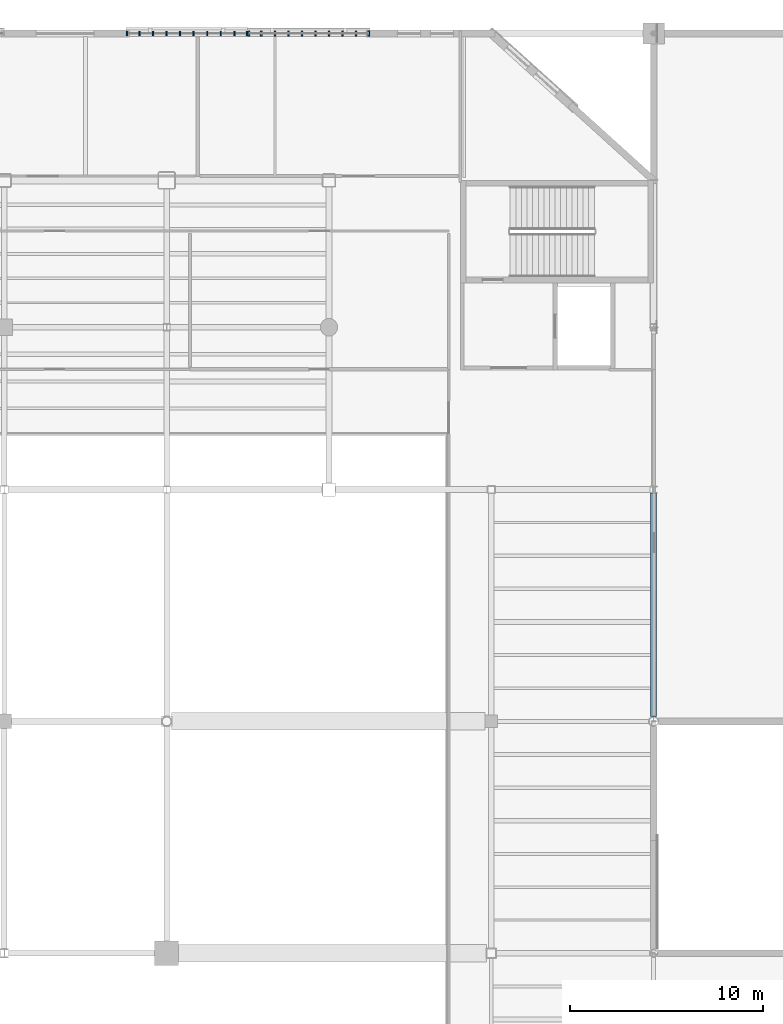
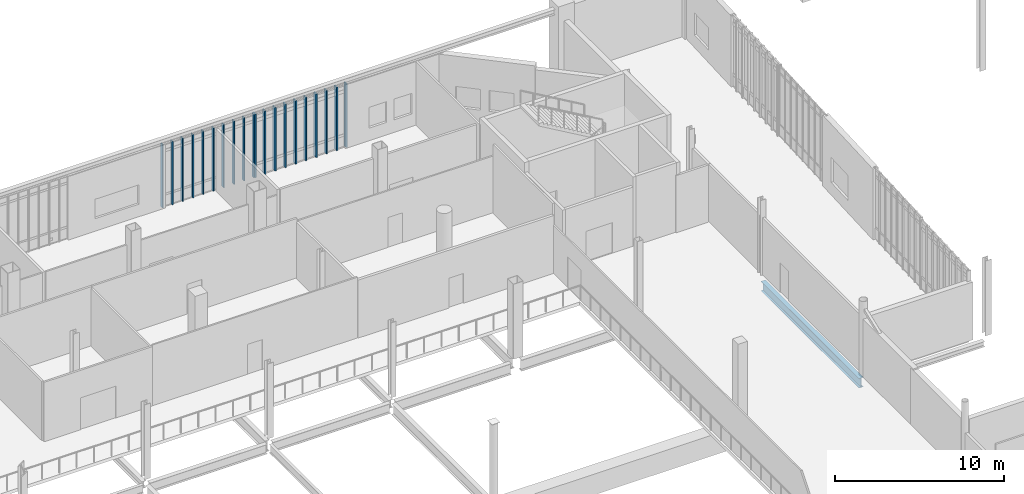
# One storey, part 38 of 127: 20 members, 1 beam, 2 elements without a shape of their own.
"""IFC4 building model written with IfcOpenShell, lengths in metres."""

import ifcopenshell
import ifcopenshell.guid

model = None  # the IFC model being written
_history = None  # IfcOwnerHistory: only IFC2X3 demands one
_inside = {}  # id of a spatial element -> (the spatial element, [elements in it])
_under = {}  # id of a project, library or spatial element -> (it, [spatial elements below it])
_declared = {}  # id of a project -> (the project, [libraries it declares])
_typed = {}  # id of a type object -> (the type object, [elements of that type])
_made_of = {}  # id of a material, layer set ... -> (it, [elements and type objects made of it])


def new_model(schema):
    """Start an empty IFC model of exactly this schema.

    Asked for "IFC4X3", IfcOpenShell would pick the latest addendum, in which some entities
    have other attributes; the version numbers below select the first issue.
    IFC2X3 requires an IfcOwnerHistory on every rooted entity: one is made here for all.
    """
    global model, _history
    if schema == "IFC4X3":
        model = ifcopenshell.file(schema_version=(4, 3, 0, 0))
    else:
        model = ifcopenshell.file(schema=schema)
    _inside.clear()
    _under.clear()
    _declared.clear()
    _typed.clear()
    _made_of.clear()
    _history = None
    if model.schema == "IFC2X3":
        org = make("IfcOrganization", Name="unknown")
        user = make(
            "IfcPersonAndOrganization",
            ThePerson=make("IfcPerson", FamilyName="unknown"),
            TheOrganization=org,
        )
        app = make(
            "IfcApplication",
            ApplicationDeveloper=org,
            Version="unknown",
            ApplicationFullName="unknown",
            ApplicationIdentifier="unknown",
        )
        _history = make(
            "IfcOwnerHistory",
            OwningUser=user,
            OwningApplication=app,
            ChangeAction="ADDED",
            CreationDate=0,
        )
    return model


def make(cls, **values):
    """One entity of the class cls with the attributes given. An attribute that is None is left unset."""
    return model.create_entity(
        cls, **{name: value for name, value in values.items() if value is not None}
    )


def rooted(cls, **values):
    """An entity with a GlobalId (a new one), such as an element, a storey or a relation."""
    return make(cls, GlobalId=ifcopenshell.guid.new(), OwnerHistory=_history, **values)


def si_unit(unit_type, name, prefix=None):
    """IfcSIUnit, for example si_unit("LENGTHUNIT", "METRE", prefix="MILLI")."""
    return make("IfcSIUnit", UnitType=unit_type, Prefix=prefix, Name=name)


def assignment(units):
    """IfcUnitAssignment: the units of a project."""
    return None if units is None else make("IfcUnitAssignment", Units=units)


def point(xyz):
    """IfcCartesianPoint."""
    return None if xyz is None else make("IfcCartesianPoint", Coordinates=xyz)


def direction(xyz):
    """IfcDirection."""
    return None if xyz is None else make("IfcDirection", DirectionRatios=xyz)


def frame(location, z_axis=None, x_axis=None):
    """IfcAxis2Placement3D, a coordinate frame: its origin and axes. An axis left out is left unset."""
    return make(
        "IfcAxis2Placement3D",
        Location=point(location),
        Axis=direction(z_axis),
        RefDirection=direction(x_axis),
    )


def frame_2d(location, x_axis=None):
    """IfcAxis2Placement2D, a coordinate frame in the plane: its origin and x axis."""
    return make(
        "IfcAxis2Placement2D", Location=point(location), RefDirection=direction(x_axis)
    )


def origin():
    """The frame at (0, 0, 0) with its axes left unset."""
    return frame((0.0, 0.0, 0.0))


def origin_2d():
    """The frame at (0, 0) in the plane with its x axis left unset."""
    return frame_2d((0.0, 0.0))


def place(relative_to, where):
    """IfcLocalPlacement: puts the frame where relative to a parent placement (None: the world)."""
    return make(
        "IfcLocalPlacement", PlacementRelTo=relative_to, RelativePlacement=where
    )


def context(
    kind, dimensions, precision=None, world=None, true_north=None, identifier=None
):
    """IfcGeometricRepresentationContext, for example the 3D "Model" context."""
    return make(
        "IfcGeometricRepresentationContext",
        ContextIdentifier=identifier,
        ContextType=kind,
        CoordinateSpaceDimension=dimensions,
        Precision=precision,
        WorldCoordinateSystem=world,
        TrueNorth=true_north,
    )


def subcontext(parent, identifier, kind, view, scale=None):
    """IfcGeometricRepresentationSubContext, for example "Body" below "Model"."""
    return make(
        "IfcGeometricRepresentationSubContext",
        ContextIdentifier=identifier,
        ContextType=kind,
        ParentContext=parent,
        TargetScale=scale,
        TargetView=view,
    )


def project(units=None, contexts=None):
    """IfcProject with its units and contexts."""
    return rooted(
        "IfcProject",
        Name="project",
        RepresentationContexts=contexts,
        UnitsInContext=assignment(units),
    )


def spatial(cls, under=None, at=None, **own):
    """A site, building, storey or space (cls), placed at a placement, below another one or the project."""
    s = rooted(cls, ObjectPlacement=at, **own)
    if under is not None:
        _under.setdefault(under.id(), (under, []))[1].append(s)
    return s


def profile(cls, at=None, kind="AREA", **sizes):
    """A parametric profile (cls). Its sizes go by their IFC names, for example OverallWidth=200.0."""
    return make(cls, ProfileType=kind, Position=at, **sizes)


def rectangle(**sizes):
    """IfcRectangleProfileDef."""
    return profile("IfcRectangleProfileDef", **sizes)


def i_section(**sizes):
    """IfcIShapeProfileDef."""
    return profile("IfcIShapeProfileDef", **sizes)


def extrude(swept, where, along, depth):
    """IfcExtrudedAreaSolid: the profile swept, set in the frame where, extruded along a direction by depth."""
    return make(
        "IfcExtrudedAreaSolid",
        SweptArea=swept,
        Position=where,
        ExtrudedDirection=direction(along),
        Depth=depth,
    )


def shape(context_of_items, identifier, shape_type, items):
    """IfcShapeRepresentation: the items that make up one representation, for example the "Body"."""
    return make(
        "IfcShapeRepresentation",
        ContextOfItems=context_of_items,
        RepresentationIdentifier=identifier,
        RepresentationType=shape_type,
        Items=items,
    )


def material(Name=None, Category=None):
    """IfcMaterial."""
    return make("IfcMaterial", Name=Name, Category=Category)


def material_profile(
    of_material, cross_section, Name=None, Category=None, Priority=None
):
    """IfcMaterialProfile: a cross section and its material."""
    return make(
        "IfcMaterialProfile",
        Name=Name,
        Material=of_material,
        Profile=cross_section,
        Priority=Priority,
        Category=Category,
    )


def profile_set(profiles, Name=None, composite=None):
    """IfcMaterialProfileSet."""
    return make(
        "IfcMaterialProfileSet",
        Name=Name,
        MaterialProfiles=profiles,
        CompositeProfile=composite,
    )


def made_of(thing, what):
    """Note that an element or type object is made of a material, layer set ...; save() writes the relation."""
    if what is not None:
        _made_of.setdefault(what.id(), (what, []))[1].append(thing)
    return thing


def type_object(cls, material=None, **own):
    """A type object (cls), such as IfcWallType, which elements share."""
    return made_of(rooted(cls, **own), material)


def element(
    cls,
    number,
    at=None,
    inside=None,
    cuts=None,
    type_object=None,
    material=None,
    context=None,
    identifier="Body",
    shape_type=None,
    held_by="IfcProductDefinitionShape",
    body=None,
    shapes=None,
    **own,
):
    """One element of the class cls, such as IfcWall. Its Tag is "e" and its number.

    at: its placement. inside: the storey or other place that contains it. cuts: it is an
    opening in that element (IfcRelVoidsElement). A single representation is given by context,
    identifier, shape_type and body (its items); several are given by shapes. held_by: the class
    of the entity that holds the representations. save() writes the other relations.
    """
    e = rooted(cls, Tag="e%d" % number, ObjectPlacement=at, **own)
    if body is not None:
        shapes = [shape(context, identifier, shape_type, body)]
    if shapes is not None:
        e.Representation = make(held_by, Representations=shapes)
    if inside is not None:
        _inside.setdefault(inside.id(), (inside, []))[1].append(e)
    if cuts is not None:
        rooted(
            "IfcRelVoidsElement", RelatingBuildingElement=cuts, RelatedOpeningElement=e
        )
    if type_object is not None:
        _typed.setdefault(type_object.id(), (type_object, []))[1].append(e)
    return made_of(e, material)


def aggregate(whole, parts):
    """IfcRelAggregates: a whole, such as a stair, and the parts it consists of."""
    return rooted("IfcRelAggregates", RelatingObject=whole, RelatedObjects=parts)


def save(model, path):
    """Write the relations noted so far, then the file.

    IfcRelAggregates (storeys below a building ...), IfcRelContainedInSpatialStructure (elements
    in a storey), IfcRelDefinesByType, IfcRelAssociatesMaterial and IfcRelDeclares: one each for
    every whole, place, type object, material and project.
    """
    for whole, parts in _under.values():
        aggregate(whole, parts)
    for where, things in _inside.values():
        rooted(
            "IfcRelContainedInSpatialStructure",
            RelatedElements=things,
            RelatingStructure=where,
        )
    for kind, things in _typed.values():
        rooted("IfcRelDefinesByType", RelatedObjects=things, RelatingType=kind)
    for what, things in _made_of.values():
        rooted("IfcRelAssociatesMaterial", RelatedObjects=things, RelatingMaterial=what)
    for by, libraries in _declared.values():
        rooted("IfcRelDeclares", RelatingContext=by, RelatedDefinitions=libraries)
    model.write(path)


model = new_model("IFC4")

# Units and contexts
model_context = context("Model", 3, precision=1e-05, world=origin(), true_north=direction((0.0, 1.0)))
body_context = subcontext(model_context, "Body", "Model", "MODEL_VIEW")
ifc_project = project(units=[si_unit("LENGTHUNIT", "METRE"), si_unit("AREAUNIT", "SQUARE_METRE"), si_unit("VOLUMEUNIT", "CUBIC_METRE"), si_unit("PLANEANGLEUNIT", "RADIAN"), si_unit("MASSUNIT", "GRAM", prefix="KILO")], contexts=[model_context])

# Site, building, storey
site_placement = place(None, origin())
site = spatial("IfcSite", under=ifc_project, at=site_placement, CompositionType="ELEMENT")
building_placement = place(site_placement, origin())
building = spatial("IfcBuilding", under=site, at=building_placement, Name="Larkvane Passage Sports Hall", CompositionType="ELEMENT")
storey_placement = place(building_placement, frame((0.0, 0.0, 5.39990234375)))
storey = spatial("IfcBuildingStorey", under=building, at=storey_placement, Name="L01", CompositionType="ELEMENT", Elevation=5.39990234375)

# Beam
ifc_material_1 = material(Name="Steel S460N", Category="steel")
ifc_material_profile_1 = material_profile(ifc_material_1, i_section(OverallWidth=0.300048828125, OverallDepth=0.699951171875, WebThickness=0.012939453125, FlangeThickness=0.02392578125, FilletRadius=0.02197265625, at=origin_2d()), Name="H-700x300x13x24")
ifc_profile_set_1 = profile_set([ifc_material_profile_1], Name="Steel S460N")
beam_type = type_object("IfcBeamType", Name="BM-STL-H700", PredefinedType="BEAM", material=ifc_profile_set_1)
beam_placement = place(storey_placement, frame((93.60009765625, 63.85400390625, -0.77001953125), z_axis=(0.0, 1.0, 0.0), x_axis=(-1.0, 0.0, 0.0)))
element("IfcBeam", 1, at=beam_placement, inside=storey, type_object=beam_type, Name="Girder BM5-Y-L01-13-0487", PredefinedType="BEAM", context=body_context, shape_type="SweptSolid", body=[
    extrude(i_section(OverallWidth=0.300048828125, OverallDepth=0.699951171875, WebThickness=0.012939453125, FlangeThickness=0.02392578125, FilletRadius=0.02197265625, at=origin_2d()), origin(), (0.0, 0.0, 1.0), 11.571044921875),
])

# Curtain wall, members
ifc_material_2 = material(Name="Thermally broken aluminium and low-E glazing", Category="aluminium")
curtain_wall_type_1 = type_object("IfcCurtainWallType", Name="CW-UNIT-VEIL", PredefinedType="USERDEFINED", material=ifc_material_2)
curtain_wall_1_placement = place(storey_placement, origin())
curtain_wall_1 = element("IfcCurtainWall", 2, at=curtain_wall_1_placement, inside=storey, type_object=curtain_wall_type_1, Name="Curtain wall CW5-L01-041", ObjectType="UNITISED CURTAIN WALL", PredefinedType="USERDEFINED")
ifc_material_3 = material(Name="Anodised aluminium 6063-T6", Category="aluminium")
ifc_material_profile_2 = material_profile(ifc_material_3, rectangle(XDim=0.074951171875, YDim=0.22509765625, at=origin_2d()), Name="ALU-MUL-75x225")
ifc_profile_set_2 = profile_set([ifc_material_profile_2], Name="Anodised aluminium 6063-T6")
member_type_1 = type_object("IfcMemberType", Name="CW-MUL-75x225", PredefinedType="MULLION", material=ifc_profile_set_2)
member_1_placement = place(storey_placement, frame((66.33740234375, 99.199951171875, 0.0), z_axis=(0.0, 0.0, 1.0), x_axis=(1.0, 0.0, 0.0)))
member_1 = element("IfcMember", 3, at=member_1_placement, type_object=member_type_1, Name="CW-02 mullion 1", PredefinedType="MULLION", context=body_context, shape_type="SweptSolid", body=[
    extrude(rectangle(XDim=0.074951171875, YDim=0.22509765625, at=origin_2d()), origin(), (0.0, 0.0, 1.0), 4.578125),
])
member_2_placement = place(storey_placement, frame((67.0, 99.199951171875, 0.0), z_axis=(0.0, 0.0, 1.0), x_axis=(1.0, 0.0, 0.0)))
member_2 = element("IfcMember", 4, at=member_2_placement, type_object=member_type_1, Name="CW-02 mullion 2", PredefinedType="MULLION", context=body_context, shape_type="SweptSolid", body=[
    extrude(rectangle(XDim=0.074951171875, YDim=0.22509765625, at=origin_2d()), origin(), (0.0, 0.0, 1.0), 4.578125),
])
member_3_placement = place(storey_placement, frame((67.699951171875, 99.199951171875, 0.0), z_axis=(0.0, 0.0, 1.0), x_axis=(1.0, 0.0, 0.0)))
member_3 = element("IfcMember", 5, at=member_3_placement, type_object=member_type_1, Name="CW-02 mullion 3", PredefinedType="MULLION", context=body_context, shape_type="SweptSolid", body=[
    extrude(rectangle(XDim=0.074951171875, YDim=0.22509765625, at=origin_2d()), origin(), (0.0, 0.0, 1.0), 4.578125),
])
member_4_placement = place(storey_placement, frame((68.39990234375, 99.199951171875, 0.0), z_axis=(0.0, 0.0, 1.0), x_axis=(1.0, 0.0, 0.0)))
member_4 = element("IfcMember", 6, at=member_4_placement, type_object=member_type_1, Name="CW-02 mullion 4", PredefinedType="MULLION", context=body_context, shape_type="SweptSolid", body=[
    extrude(rectangle(XDim=0.074951171875, YDim=0.22509765625, at=origin_2d()), origin(), (0.0, 0.0, 1.0), 4.578125),
])
member_5_placement = place(storey_placement, frame((69.10009765625, 99.199951171875, 0.0), z_axis=(0.0, 0.0, 1.0), x_axis=(1.0, 0.0, 0.0)))
member_5 = element("IfcMember", 7, at=member_5_placement, type_object=member_type_1, Name="CW-02 mullion 5", PredefinedType="MULLION", context=body_context, shape_type="SweptSolid", body=[
    extrude(rectangle(XDim=0.074951171875, YDim=0.22509765625, at=origin_2d()), origin(), (0.0, 0.0, 1.0), 4.578125),
])
member_6_placement = place(storey_placement, frame((69.800048828125, 99.199951171875, 0.0), z_axis=(0.0, 0.0, 1.0), x_axis=(1.0, 0.0, 0.0)))
member_6 = element("IfcMember", 8, at=member_6_placement, type_object=member_type_1, Name="CW-02 mullion 6", PredefinedType="MULLION", context=body_context, shape_type="SweptSolid", body=[
    extrude(rectangle(XDim=0.074951171875, YDim=0.22509765625, at=origin_2d()), origin(), (0.0, 0.0, 1.0), 4.578125),
])
member_7_placement = place(storey_placement, frame((70.5, 99.199951171875, 0.0), z_axis=(0.0, 0.0, 1.0), x_axis=(1.0, 0.0, 0.0)))
member_7 = element("IfcMember", 9, at=member_7_placement, type_object=member_type_1, Name="CW-02 mullion 7", PredefinedType="MULLION", context=body_context, shape_type="SweptSolid", body=[
    extrude(rectangle(XDim=0.074951171875, YDim=0.22509765625, at=origin_2d()), origin(), (0.0, 0.0, 1.0), 4.578125),
])
member_8_placement = place(storey_placement, frame((71.199951171875, 99.199951171875, 0.0), z_axis=(0.0, 0.0, 1.0), x_axis=(1.0, 0.0, 0.0)))
member_8 = element("IfcMember", 10, at=member_8_placement, type_object=member_type_1, Name="CW-02 mullion 8", PredefinedType="MULLION", context=body_context, shape_type="SweptSolid", body=[
    extrude(rectangle(XDim=0.074951171875, YDim=0.22509765625, at=origin_2d()), origin(), (0.0, 0.0, 1.0), 4.578125),
])
member_9_placement = place(storey_placement, frame((71.89990234375, 99.199951171875, 0.0), z_axis=(0.0, 0.0, 1.0), x_axis=(1.0, 0.0, 0.0)))
member_9 = element("IfcMember", 11, at=member_9_placement, type_object=member_type_1, Name="CW-02 mullion 9", PredefinedType="MULLION", context=body_context, shape_type="SweptSolid", body=[
    extrude(rectangle(XDim=0.074951171875, YDim=0.22509765625, at=origin_2d()), origin(), (0.0, 0.0, 1.0), 4.578125),
])
member_10_placement = place(storey_placement, frame((72.5625, 99.199951171875, 0.0), z_axis=(0.0, 0.0, 1.0), x_axis=(1.0, 0.0, 0.0)))
member_10 = element("IfcMember", 12, at=member_10_placement, type_object=member_type_1, Name="CW-02 mullion 10", PredefinedType="MULLION", context=body_context, shape_type="SweptSolid", body=[
    extrude(rectangle(XDim=0.074951171875, YDim=0.22509765625, at=origin_2d()), origin(), (0.0, 0.0, 1.0), 4.578125),
])
aggregate(curtain_wall_1, [member_1, member_2, member_3, member_4, member_5, member_6, member_7, member_8, member_9, member_10])

curtain_wall_type_2 = type_object("IfcCurtainWallType", Name="CW-STICK-FOYER", PredefinedType="USERDEFINED", material=ifc_material_2)
curtain_wall_2_placement = place(storey_placement, origin())
curtain_wall_2 = element("IfcCurtainWall", 13, at=curtain_wall_2_placement, inside=storey, type_object=curtain_wall_type_2, Name="Curtain wall CW5-L01-042", ObjectType="STICK CURTAIN WALL", PredefinedType="USERDEFINED")
ifc_material_profile_3 = material_profile(ifc_material_3, rectangle(XDim=0.090087890625, YDim=0.280029296875, at=origin_2d()), Name="ALU-MUL-90x280")
ifc_profile_set_3 = profile_set([ifc_material_profile_3], Name="Anodised aluminium 6063-T6")
member_type_2 = type_object("IfcMemberType", Name="CW-MUL-90x280", PredefinedType="MULLION", material=ifc_profile_set_3)
member_11_placement = place(storey_placement, frame((72.64501953125, 99.199951171875, 0.0), z_axis=(0.0, 0.0, 1.0), x_axis=(1.0, 0.0, 0.0)))
member_11 = element("IfcMember", 14, at=member_11_placement, type_object=member_type_2, Name="CW-03 mullion 1", PredefinedType="MULLION", context=body_context, shape_type="SweptSolid", body=[
    extrude(rectangle(XDim=0.090087890625, YDim=0.280029296875, at=origin_2d()), origin(), (0.0, 0.0, 1.0), 4.578125),
])
member_12_placement = place(storey_placement, frame((73.300048828125, 99.199951171875, 0.0), z_axis=(0.0, 0.0, 1.0), x_axis=(1.0, 0.0, 0.0)))
member_12 = element("IfcMember", 15, at=member_12_placement, type_object=member_type_2, Name="CW-03 mullion 2", PredefinedType="MULLION", context=body_context, shape_type="SweptSolid", body=[
    extrude(rectangle(XDim=0.090087890625, YDim=0.280029296875, at=origin_2d()), origin(), (0.0, 0.0, 1.0), 4.578125),
])
member_13_placement = place(storey_placement, frame((74.0, 99.199951171875, 0.0), z_axis=(0.0, 0.0, 1.0), x_axis=(1.0, 0.0, 0.0)))
member_13 = element("IfcMember", 16, at=member_13_placement, type_object=member_type_2, Name="CW-03 mullion 3", PredefinedType="MULLION", context=body_context, shape_type="SweptSolid", body=[
    extrude(rectangle(XDim=0.090087890625, YDim=0.280029296875, at=origin_2d()), origin(), (0.0, 0.0, 1.0), 4.578125),
])
member_14_placement = place(storey_placement, frame((74.699951171875, 99.199951171875, 0.0), z_axis=(0.0, 0.0, 1.0), x_axis=(1.0, 0.0, 0.0)))
member_14 = element("IfcMember", 17, at=member_14_placement, type_object=member_type_2, Name="CW-03 mullion 4", PredefinedType="MULLION", context=body_context, shape_type="SweptSolid", body=[
    extrude(rectangle(XDim=0.090087890625, YDim=0.280029296875, at=origin_2d()), origin(), (0.0, 0.0, 1.0), 4.578125),
])
member_15_placement = place(storey_placement, frame((75.39990234375, 99.199951171875, 0.0), z_axis=(0.0, 0.0, 1.0), x_axis=(1.0, 0.0, 0.0)))
member_15 = element("IfcMember", 18, at=member_15_placement, type_object=member_type_2, Name="CW-03 mullion 5", PredefinedType="MULLION", context=body_context, shape_type="SweptSolid", body=[
    extrude(rectangle(XDim=0.090087890625, YDim=0.280029296875, at=origin_2d()), origin(), (0.0, 0.0, 1.0), 4.578125),
])
member_16_placement = place(storey_placement, frame((76.10009765625, 99.199951171875, 0.0), z_axis=(0.0, 0.0, 1.0), x_axis=(1.0, 0.0, 0.0)))
member_16 = element("IfcMember", 19, at=member_16_placement, type_object=member_type_2, Name="CW-03 mullion 6", PredefinedType="MULLION", context=body_context, shape_type="SweptSolid", body=[
    extrude(rectangle(XDim=0.090087890625, YDim=0.280029296875, at=origin_2d()), origin(), (0.0, 0.0, 1.0), 4.578125),
])
member_17_placement = place(storey_placement, frame((76.800048828125, 99.199951171875, 0.0), z_axis=(0.0, 0.0, 1.0), x_axis=(1.0, 0.0, 0.0)))
member_17 = element("IfcMember", 20, at=member_17_placement, type_object=member_type_2, Name="CW-03 mullion 7", PredefinedType="MULLION", context=body_context, shape_type="SweptSolid", body=[
    extrude(rectangle(XDim=0.090087890625, YDim=0.280029296875, at=origin_2d()), origin(), (0.0, 0.0, 1.0), 4.578125),
])
member_18_placement = place(storey_placement, frame((77.5, 99.199951171875, 0.0), z_axis=(0.0, 0.0, 1.0), x_axis=(1.0, 0.0, 0.0)))
member_18 = element("IfcMember", 21, at=member_18_placement, type_object=member_type_2, Name="CW-03 mullion 8", PredefinedType="MULLION", context=body_context, shape_type="SweptSolid", body=[
    extrude(rectangle(XDim=0.090087890625, YDim=0.280029296875, at=origin_2d()), origin(), (0.0, 0.0, 1.0), 4.578125),
])
member_19_placement = place(storey_placement, frame((78.199951171875, 99.199951171875, 0.0), z_axis=(0.0, 0.0, 1.0), x_axis=(1.0, 0.0, 0.0)))
member_19 = element("IfcMember", 22, at=member_19_placement, type_object=member_type_2, Name="CW-03 mullion 9", PredefinedType="MULLION", context=body_context, shape_type="SweptSolid", body=[
    extrude(rectangle(XDim=0.090087890625, YDim=0.280029296875, at=origin_2d()), origin(), (0.0, 0.0, 1.0), 4.578125),
])
member_20_placement = place(storey_placement, frame((78.85498046875, 99.199951171875, 0.0), z_axis=(0.0, 0.0, 1.0), x_axis=(1.0, 0.0, 0.0)))
member_20 = element("IfcMember", 23, at=member_20_placement, type_object=member_type_2, Name="CW-03 mullion 10", PredefinedType="MULLION", context=body_context, shape_type="SweptSolid", body=[
    extrude(rectangle(XDim=0.090087890625, YDim=0.280029296875, at=origin_2d()), origin(), (0.0, 0.0, 1.0), 4.578125),
])
aggregate(curtain_wall_2, [member_11, member_12, member_13, member_14, member_15, member_16, member_17, member_18, member_19, member_20])

save(model, "model.ifc")
